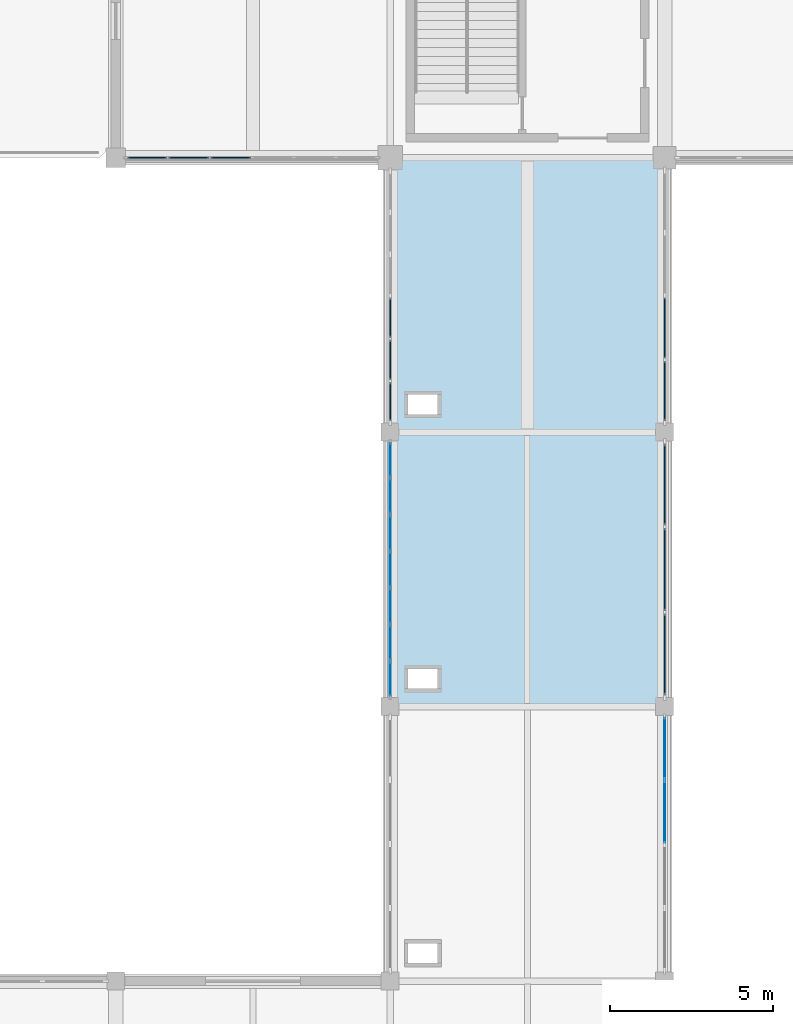
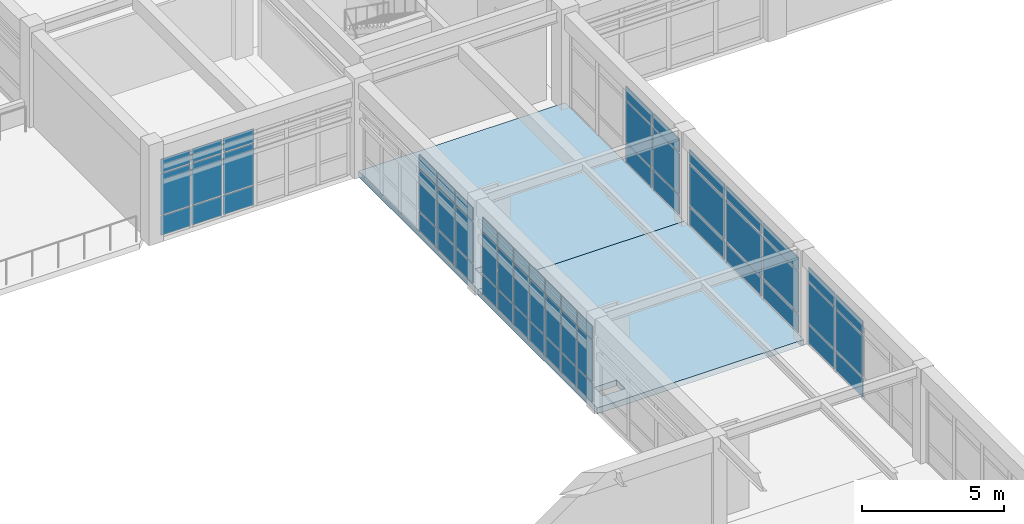
# One storey, part 24 of 40: 60 plates, 2 slabs, 6 elements without a shape of their own.
"""IFC4 building model written with IfcOpenShell, lengths in metres."""

from ifc_helpers import new_model, si_unit, direction, frame, origin, origin_2d, place, context, subcontext, project, spatial, polyline, rectangle, outline, extrude, material, layer, layer_set, type_object, element, aggregate, save


model = new_model("IFC4")

# Units and contexts
model_context = context("Model", 3, precision=1e-05, world=origin(), true_north=direction((0.0, 1.0)))
body_context = subcontext(model_context, "Body", "Model", "MODEL_VIEW")
ifc_project = project(units=[si_unit("LENGTHUNIT", "METRE"), si_unit("AREAUNIT", "SQUARE_METRE"), si_unit("VOLUMEUNIT", "CUBIC_METRE"), si_unit("PLANEANGLEUNIT", "RADIAN"), si_unit("MASSUNIT", "GRAM", prefix="KILO")], contexts=[model_context])

# Site, building, storey
site_placement = place(None, origin())
site = spatial("IfcSite", under=ifc_project, at=site_placement, CompositionType="ELEMENT")
building_placement = place(site_placement, origin())
building = spatial("IfcBuilding", under=site, at=building_placement, Name="Porcellanite Civic Hall", CompositionType="ELEMENT")
storey_placement = place(building_placement, frame((0.0, 0.0, 19.080078125)))
storey = spatial("IfcBuildingStorey", under=building, at=storey_placement, Name="L04", CompositionType="ELEMENT", Elevation=19.080078125)

# Curtain wall, plates
ifc_material_1 = material(Name="Anodised aluminium and solar laminated glass", Category="aluminium")
ifc_layer_1 = layer(ifc_material_1, 0.179931640625)
ifc_layer_set_1 = layer_set([ifc_layer_1], Name="Anodised aluminium and solar laminated glass")
curtain_wall_type_1 = type_object("IfcCurtainWallType", Name="CW-SYS06", PredefinedType="NOTDEFINED", material=ifc_layer_set_1)
curtain_wall_1_placement = place(storey_placement, origin())
curtain_wall_1 = element("IfcCurtainWall", 1, at=curtain_wall_1_placement, inside=storey, type_object=curtain_wall_type_1, Name="Curtain wall CW-242", PredefinedType="NOTDEFINED")
ifc_material_2 = material(Name="Cyclone laminated solar-control low-E glass", Category="glass")
ifc_layer_2 = layer(ifc_material_2, 0.028076171875)
ifc_layer_set_2 = layer_set([ifc_layer_2], Name="Cyclone laminated solar-control low-E glass")
plate_type_1 = type_object("IfcPlateType", Name="CWP-03", PredefinedType="CURTAIN_PANEL", material=ifc_layer_set_2)
plate_1_placement = place(storey_placement, frame((58.800048828125, 82.726806640625, 0.0498046875), z_axis=(0.0, 0.0, 1.0), x_axis=(0.0, -1.0, 0.0)))
plate_1 = element("IfcPlate", 2, at=plate_1_placement, type_object=plate_type_1, Name="CW-242 panel 1.1", PredefinedType="CURTAIN_PANEL", context=body_context, shape_type="SweptSolid", body=[
    extrude(rectangle(XDim=1.864501953125, YDim=0.028076171875, at=origin_2d()), origin(), (0.0, 0.0, 1.0), 0.824951171875),
])
plate_2_placement = place(storey_placement, frame((58.800048828125, 82.726806640625, 0.9248046875), z_axis=(0.0, 0.0, 1.0), x_axis=(0.0, -1.0, 0.0)))
plate_2 = element("IfcPlate", 3, at=plate_2_placement, type_object=plate_type_1, Name="CW-242 panel 1.2", PredefinedType="CURTAIN_PANEL", context=body_context, shape_type="SweptSolid", body=[
    extrude(rectangle(XDim=1.864501953125, YDim=0.028076171875, at=origin_2d()), origin(), (0.0, 0.0, 1.0), 1.77001953125),
])
plate_3_placement = place(storey_placement, frame((58.800048828125, 82.726806640625, 2.7451171875), z_axis=(0.0, 0.0, 1.0), x_axis=(0.0, -1.0, 0.0)))
plate_3 = element("IfcPlate", 4, at=plate_3_placement, type_object=plate_type_1, Name="CW-242 panel 1.3", PredefinedType="CURTAIN_PANEL", context=body_context, shape_type="SweptSolid", body=[
    extrude(rectangle(XDim=1.864501953125, YDim=0.028076171875, at=origin_2d()), origin(), (0.0, 0.0, 1.0), 0.574951171875),
])
plate_4_placement = place(storey_placement, frame((58.800048828125, 80.781005859375, 0.0498046875), z_axis=(0.0, 0.0, 1.0), x_axis=(0.0, -1.0, 0.0)))
plate_4 = element("IfcPlate", 5, at=plate_4_placement, type_object=plate_type_1, Name="CW-242 panel 2.1", PredefinedType="CURTAIN_PANEL", context=body_context, shape_type="SweptSolid", body=[
    extrude(rectangle(XDim=1.89697265625, YDim=0.028076171875, at=origin_2d()), origin(), (0.0, 0.0, 1.0), 0.824951171875),
])
plate_5_placement = place(storey_placement, frame((58.800048828125, 80.781005859375, 0.9248046875), z_axis=(0.0, 0.0, 1.0), x_axis=(0.0, -1.0, 0.0)))
plate_5 = element("IfcPlate", 6, at=plate_5_placement, type_object=plate_type_1, Name="CW-242 panel 2.2", PredefinedType="CURTAIN_PANEL", context=body_context, shape_type="SweptSolid", body=[
    extrude(rectangle(XDim=1.89697265625, YDim=0.028076171875, at=origin_2d()), origin(), (0.0, 0.0, 1.0), 1.77001953125),
])
plate_6_placement = place(storey_placement, frame((58.800048828125, 80.781005859375, 2.7451171875), z_axis=(0.0, 0.0, 1.0), x_axis=(0.0, -1.0, 0.0)))
plate_6 = element("IfcPlate", 7, at=plate_6_placement, type_object=plate_type_1, Name="CW-242 panel 2.3", PredefinedType="CURTAIN_PANEL", context=body_context, shape_type="SweptSolid", body=[
    extrude(rectangle(XDim=1.89697265625, YDim=0.028076171875, at=origin_2d()), origin(), (0.0, 0.0, 1.0), 0.574951171875),
])
aggregate(curtain_wall_1, [plate_1, plate_2, plate_3, plate_4, plate_5, plate_6])

ifc_material_3 = material(Name="Anodised aluminium and solar laminated glass", Category="aluminium")
ifc_layer_3 = layer(ifc_material_3, 0.179931640625)
ifc_layer_set_3 = layer_set([ifc_layer_3], Name="Anodised aluminium and solar laminated glass")
curtain_wall_type_2 = type_object("IfcCurtainWallType", Name="CW-SYS07", PredefinedType="NOTDEFINED", material=ifc_layer_set_3)
curtain_wall_2_placement = place(storey_placement, origin())
curtain_wall_2 = element("IfcCurtainWall", 8, at=curtain_wall_2_placement, inside=storey, type_object=curtain_wall_type_2, Name="Curtain wall CW-243", PredefinedType="NOTDEFINED")
ifc_material_4 = material(Name="Cyclone laminated solar-control low-E glass", Category="glass")
ifc_layer_4 = layer(ifc_material_4, 0.030029296875)
ifc_layer_set_4 = layer_set([ifc_layer_4], Name="Cyclone laminated solar-control low-E glass")
plate_type_2 = type_object("IfcPlateType", Name="CWP-04", PredefinedType="CURTAIN_PANEL", material=ifc_layer_set_4)
plate_7_placement = place(storey_placement, frame((50.39990234375, 84.8515625, 0.0498046875), z_axis=(0.0, 0.0, 1.0), x_axis=(0.0, 1.0, 0.0)))
plate_7 = element("IfcPlate", 9, at=plate_7_placement, type_object=plate_type_2, Name="CW-243 panel 1.1", PredefinedType="CURTAIN_PANEL", context=body_context, shape_type="SweptSolid", body=[
    extrude(rectangle(XDim=1.03125, YDim=0.030029296875, at=origin_2d()), origin(), (0.0, 0.0, 1.0), 0.824951171875),
])
plate_8_placement = place(storey_placement, frame((50.39990234375, 84.8515625, 0.9248046875), z_axis=(0.0, 0.0, 1.0), x_axis=(0.0, 1.0, 0.0)))
plate_8 = element("IfcPlate", 10, at=plate_8_placement, type_object=plate_type_2, Name="CW-243 panel 1.2", PredefinedType="CURTAIN_PANEL", context=body_context, shape_type="SweptSolid", body=[
    extrude(rectangle(XDim=1.03125, YDim=0.030029296875, at=origin_2d()), origin(), (0.0, 0.0, 1.0), 1.77001953125),
])
plate_9_placement = place(storey_placement, frame((50.39990234375, 84.8515625, 2.7451171875), z_axis=(0.0, 0.0, 1.0), x_axis=(0.0, 1.0, 0.0)))
plate_9 = element("IfcPlate", 11, at=plate_9_placement, type_object=plate_type_2, Name="CW-243 panel 1.3", PredefinedType="CURTAIN_PANEL", context=body_context, shape_type="SweptSolid", body=[
    extrude(rectangle(XDim=1.03125, YDim=0.030029296875, at=origin_2d()), origin(), (0.0, 0.0, 1.0), 0.574951171875),
])
plate_10_placement = place(storey_placement, frame((50.39990234375, 85.957763671875, 0.0498046875), z_axis=(0.0, 0.0, 1.0), x_axis=(0.0, 1.0, 0.0)))
plate_10 = element("IfcPlate", 12, at=plate_10_placement, type_object=plate_type_2, Name="CW-243 panel 2.1", PredefinedType="CURTAIN_PANEL", context=body_context, shape_type="SweptSolid", body=[
    extrude(rectangle(XDim=1.06103515625, YDim=0.030029296875, at=origin_2d()), origin(), (0.0, 0.0, 1.0), 0.824951171875),
])
plate_11_placement = place(storey_placement, frame((50.39990234375, 85.957763671875, 0.9248046875), z_axis=(0.0, 0.0, 1.0), x_axis=(0.0, 1.0, 0.0)))
plate_11 = element("IfcPlate", 13, at=plate_11_placement, type_object=plate_type_2, Name="CW-243 panel 2.2", PredefinedType="CURTAIN_PANEL", context=body_context, shape_type="SweptSolid", body=[
    extrude(rectangle(XDim=1.06103515625, YDim=0.030029296875, at=origin_2d()), origin(), (0.0, 0.0, 1.0), 1.77001953125),
])
plate_12_placement = place(storey_placement, frame((50.39990234375, 85.957763671875, 2.7451171875), z_axis=(0.0, 0.0, 1.0), x_axis=(0.0, 1.0, 0.0)))
plate_12 = element("IfcPlate", 14, at=plate_12_placement, type_object=plate_type_2, Name="CW-243 panel 2.3", PredefinedType="CURTAIN_PANEL", context=body_context, shape_type="SweptSolid", body=[
    extrude(rectangle(XDim=1.06103515625, YDim=0.030029296875, at=origin_2d()), origin(), (0.0, 0.0, 1.0), 0.574951171875),
])
plate_13_placement = place(storey_placement, frame((50.39990234375, 87.078857421875, 0.0498046875), z_axis=(0.0, 0.0, 1.0), x_axis=(0.0, 1.0, 0.0)))
plate_13 = element("IfcPlate", 15, at=plate_13_placement, type_object=plate_type_2, Name="CW-243 panel 3.1", PredefinedType="CURTAIN_PANEL", context=body_context, shape_type="SweptSolid", body=[
    extrude(rectangle(XDim=1.06103515625, YDim=0.030029296875, at=origin_2d()), origin(), (0.0, 0.0, 1.0), 0.824951171875),
])
plate_14_placement = place(storey_placement, frame((50.39990234375, 87.078857421875, 0.9248046875), z_axis=(0.0, 0.0, 1.0), x_axis=(0.0, 1.0, 0.0)))
plate_14 = element("IfcPlate", 16, at=plate_14_placement, type_object=plate_type_2, Name="CW-243 panel 3.2", PredefinedType="CURTAIN_PANEL", context=body_context, shape_type="SweptSolid", body=[
    extrude(rectangle(XDim=1.06103515625, YDim=0.030029296875, at=origin_2d()), origin(), (0.0, 0.0, 1.0), 1.77001953125),
])
plate_15_placement = place(storey_placement, frame((50.39990234375, 87.078857421875, 2.7451171875), z_axis=(0.0, 0.0, 1.0), x_axis=(0.0, 1.0, 0.0)))
plate_15 = element("IfcPlate", 17, at=plate_15_placement, type_object=plate_type_2, Name="CW-243 panel 3.3", PredefinedType="CURTAIN_PANEL", context=body_context, shape_type="SweptSolid", body=[
    extrude(rectangle(XDim=1.06103515625, YDim=0.030029296875, at=origin_2d()), origin(), (0.0, 0.0, 1.0), 0.574951171875),
])
plate_16_placement = place(storey_placement, frame((50.39990234375, 88.199951171875, 0.0498046875), z_axis=(0.0, 0.0, 1.0), x_axis=(0.0, 1.0, 0.0)))
plate_16 = element("IfcPlate", 18, at=plate_16_placement, type_object=plate_type_2, Name="CW-243 panel 4.1", PredefinedType="CURTAIN_PANEL", context=body_context, shape_type="SweptSolid", body=[
    extrude(rectangle(XDim=1.06103515625, YDim=0.030029296875, at=origin_2d()), origin(), (0.0, 0.0, 1.0), 0.824951171875),
])
plate_17_placement = place(storey_placement, frame((50.39990234375, 88.199951171875, 0.9248046875), z_axis=(0.0, 0.0, 1.0), x_axis=(0.0, 1.0, 0.0)))
plate_17 = element("IfcPlate", 19, at=plate_17_placement, type_object=plate_type_2, Name="CW-243 panel 4.2", PredefinedType="CURTAIN_PANEL", context=body_context, shape_type="SweptSolid", body=[
    extrude(rectangle(XDim=1.06103515625, YDim=0.030029296875, at=origin_2d()), origin(), (0.0, 0.0, 1.0), 1.77001953125),
])
plate_18_placement = place(storey_placement, frame((50.39990234375, 88.199951171875, 2.7451171875), z_axis=(0.0, 0.0, 1.0), x_axis=(0.0, 1.0, 0.0)))
plate_18 = element("IfcPlate", 20, at=plate_18_placement, type_object=plate_type_2, Name="CW-243 panel 4.3", PredefinedType="CURTAIN_PANEL", context=body_context, shape_type="SweptSolid", body=[
    extrude(rectangle(XDim=1.06103515625, YDim=0.030029296875, at=origin_2d()), origin(), (0.0, 0.0, 1.0), 0.574951171875),
])
plate_19_placement = place(storey_placement, frame((50.39990234375, 89.321044921875, 0.0498046875), z_axis=(0.0, 0.0, 1.0), x_axis=(0.0, 1.0, 0.0)))
plate_19 = element("IfcPlate", 21, at=plate_19_placement, type_object=plate_type_2, Name="CW-243 panel 5.1", PredefinedType="CURTAIN_PANEL", context=body_context, shape_type="SweptSolid", body=[
    extrude(rectangle(XDim=1.06103515625, YDim=0.030029296875, at=origin_2d()), origin(), (0.0, 0.0, 1.0), 0.824951171875),
])
plate_20_placement = place(storey_placement, frame((50.39990234375, 89.321044921875, 0.9248046875), z_axis=(0.0, 0.0, 1.0), x_axis=(0.0, 1.0, 0.0)))
plate_20 = element("IfcPlate", 22, at=plate_20_placement, type_object=plate_type_2, Name="CW-243 panel 5.2", PredefinedType="CURTAIN_PANEL", context=body_context, shape_type="SweptSolid", body=[
    extrude(rectangle(XDim=1.06103515625, YDim=0.030029296875, at=origin_2d()), origin(), (0.0, 0.0, 1.0), 1.77001953125),
])
plate_21_placement = place(storey_placement, frame((50.39990234375, 89.321044921875, 2.7451171875), z_axis=(0.0, 0.0, 1.0), x_axis=(0.0, 1.0, 0.0)))
plate_21 = element("IfcPlate", 23, at=plate_21_placement, type_object=plate_type_2, Name="CW-243 panel 5.3", PredefinedType="CURTAIN_PANEL", context=body_context, shape_type="SweptSolid", body=[
    extrude(rectangle(XDim=1.06103515625, YDim=0.030029296875, at=origin_2d()), origin(), (0.0, 0.0, 1.0), 0.574951171875),
])
plate_22_placement = place(storey_placement, frame((50.39990234375, 90.4423828125, 0.0498046875), z_axis=(0.0, 0.0, 1.0), x_axis=(0.0, 1.0, 0.0)))
plate_22 = element("IfcPlate", 24, at=plate_22_placement, type_object=plate_type_2, Name="CW-243 panel 6.1", PredefinedType="CURTAIN_PANEL", context=body_context, shape_type="SweptSolid", body=[
    extrude(rectangle(XDim=1.06103515625, YDim=0.030029296875, at=origin_2d()), origin(), (0.0, 0.0, 1.0), 0.824951171875),
])
plate_23_placement = place(storey_placement, frame((50.39990234375, 90.4423828125, 0.9248046875), z_axis=(0.0, 0.0, 1.0), x_axis=(0.0, 1.0, 0.0)))
plate_23 = element("IfcPlate", 25, at=plate_23_placement, type_object=plate_type_2, Name="CW-243 panel 6.2", PredefinedType="CURTAIN_PANEL", context=body_context, shape_type="SweptSolid", body=[
    extrude(rectangle(XDim=1.06103515625, YDim=0.030029296875, at=origin_2d()), origin(), (0.0, 0.0, 1.0), 1.77001953125),
])
plate_24_placement = place(storey_placement, frame((50.39990234375, 90.4423828125, 2.7451171875), z_axis=(0.0, 0.0, 1.0), x_axis=(0.0, 1.0, 0.0)))
plate_24 = element("IfcPlate", 26, at=plate_24_placement, type_object=plate_type_2, Name="CW-243 panel 6.3", PredefinedType="CURTAIN_PANEL", context=body_context, shape_type="SweptSolid", body=[
    extrude(rectangle(XDim=1.06103515625, YDim=0.030029296875, at=origin_2d()), origin(), (0.0, 0.0, 1.0), 0.574951171875),
])
plate_25_placement = place(storey_placement, frame((50.39990234375, 91.54833984375, 0.0498046875), z_axis=(0.0, 0.0, 1.0), x_axis=(0.0, 1.0, 0.0)))
plate_25 = element("IfcPlate", 27, at=plate_25_placement, type_object=plate_type_2, Name="CW-243 panel 7.1", PredefinedType="CURTAIN_PANEL", context=body_context, shape_type="SweptSolid", body=[
    extrude(rectangle(XDim=1.03125, YDim=0.030029296875, at=origin_2d()), origin(), (0.0, 0.0, 1.0), 0.824951171875),
])
plate_26_placement = place(storey_placement, frame((50.39990234375, 91.54833984375, 0.9248046875), z_axis=(0.0, 0.0, 1.0), x_axis=(0.0, 1.0, 0.0)))
plate_26 = element("IfcPlate", 28, at=plate_26_placement, type_object=plate_type_2, Name="CW-243 panel 7.2", PredefinedType="CURTAIN_PANEL", context=body_context, shape_type="SweptSolid", body=[
    extrude(rectangle(XDim=1.03125, YDim=0.030029296875, at=origin_2d()), origin(), (0.0, 0.0, 1.0), 1.77001953125),
])
plate_27_placement = place(storey_placement, frame((50.39990234375, 91.54833984375, 2.7451171875), z_axis=(0.0, 0.0, 1.0), x_axis=(0.0, 1.0, 0.0)))
plate_27 = element("IfcPlate", 29, at=plate_27_placement, type_object=plate_type_2, Name="CW-243 panel 7.3", PredefinedType="CURTAIN_PANEL", context=body_context, shape_type="SweptSolid", body=[
    extrude(rectangle(XDim=1.03125, YDim=0.030029296875, at=origin_2d()), origin(), (0.0, 0.0, 1.0), 0.574951171875),
])
aggregate(curtain_wall_2, [plate_7, plate_8, plate_9, plate_10, plate_11, plate_12, plate_13, plate_14, plate_15, plate_16, plate_17, plate_18, plate_19, plate_20, plate_21, plate_22, plate_23, plate_24, plate_25, plate_26, plate_27])

ifc_material_5 = material(Name="Anodised aluminium and solar laminated glass", Category="aluminium")
ifc_layer_5 = layer(ifc_material_5, 0.179931640625)
ifc_layer_set_5 = layer_set([ifc_layer_5], Name="Anodised aluminium and solar laminated glass")
curtain_wall_type_3 = type_object("IfcCurtainWallType", Name="CW-SYS08", PredefinedType="NOTDEFINED", material=ifc_layer_set_5)
curtain_wall_3_placement = place(storey_placement, origin())
curtain_wall_3 = element("IfcCurtainWall", 30, at=curtain_wall_3_placement, inside=storey, type_object=curtain_wall_type_3, Name="Curtain wall CW-244", PredefinedType="NOTDEFINED")
ifc_material_6 = material(Name="Cyclone laminated solar-control low-E glass", Category="glass")
ifc_layer_6 = layer(ifc_material_6, 0.031982421875)
ifc_layer_set_6 = layer_set([ifc_layer_6], Name="Cyclone laminated solar-control low-E glass")
plate_type_3 = type_object("IfcPlateType", Name="CWP-05", PredefinedType="CURTAIN_PANEL", material=ifc_layer_set_6)
plate_28_placement = place(storey_placement, frame((58.800048828125, 90.7958984375, 0.070068359375), z_axis=(0.0, 0.0, 1.0), x_axis=(0.0, -1.0, 0.0)))
plate_28 = element("IfcPlate", 31, at=plate_28_placement, type_object=plate_type_3, Name="CW-244 panel 1.1", PredefinedType="CURTAIN_PANEL", context=body_context, shape_type="SweptSolid", body=[
    extrude(rectangle(XDim=2.49609375, YDim=0.031982421875, at=origin_2d()), origin(), (0.0, 0.0, 1.0), 0.794921875),
])
plate_29_placement = place(storey_placement, frame((58.800048828125, 90.7958984375, 0.934814453125), z_axis=(0.0, 0.0, 1.0), x_axis=(0.0, -1.0, 0.0)))
plate_29 = element("IfcPlate", 32, at=plate_29_placement, type_object=plate_type_3, Name="CW-244 panel 1.2", PredefinedType="CURTAIN_PANEL", context=body_context, shape_type="SweptSolid", body=[
    extrude(rectangle(XDim=2.49609375, YDim=0.031982421875, at=origin_2d()), origin(), (0.0, 0.0, 1.0), 1.75),
])
plate_30_placement = place(storey_placement, frame((58.800048828125, 90.7958984375, 2.7548828125), z_axis=(0.0, 0.0, 1.0), x_axis=(0.0, -1.0, 0.0)))
plate_30 = element("IfcPlate", 33, at=plate_30_placement, type_object=plate_type_3, Name="CW-244 panel 1.3", PredefinedType="CURTAIN_PANEL", context=body_context, shape_type="SweptSolid", body=[
    extrude(rectangle(XDim=2.49609375, YDim=0.031982421875, at=origin_2d()), origin(), (0.0, 0.0, 1.0), 0.544921875),
])
plate_31_placement = place(storey_placement, frame((58.800048828125, 88.199951171875, 0.070068359375), z_axis=(0.0, 0.0, 1.0), x_axis=(0.0, -1.0, 0.0)))
plate_31 = element("IfcPlate", 34, at=plate_31_placement, type_object=plate_type_3, Name="CW-244 panel 2.1", PredefinedType="CURTAIN_PANEL", context=body_context, shape_type="SweptSolid", body=[
    extrude(rectangle(XDim=2.535888671875, YDim=0.031982421875, at=origin_2d()), origin(), (0.0, 0.0, 1.0), 0.794921875),
])
plate_32_placement = place(storey_placement, frame((58.800048828125, 88.199951171875, 0.934814453125), z_axis=(0.0, 0.0, 1.0), x_axis=(0.0, -1.0, 0.0)))
plate_32 = element("IfcPlate", 35, at=plate_32_placement, type_object=plate_type_3, Name="CW-244 panel 2.2", PredefinedType="CURTAIN_PANEL", context=body_context, shape_type="SweptSolid", body=[
    extrude(rectangle(XDim=2.535888671875, YDim=0.031982421875, at=origin_2d()), origin(), (0.0, 0.0, 1.0), 1.75),
])
plate_33_placement = place(storey_placement, frame((58.800048828125, 88.199951171875, 2.7548828125), z_axis=(0.0, 0.0, 1.0), x_axis=(0.0, -1.0, 0.0)))
plate_33 = element("IfcPlate", 36, at=plate_33_placement, type_object=plate_type_3, Name="CW-244 panel 2.3", PredefinedType="CURTAIN_PANEL", context=body_context, shape_type="SweptSolid", body=[
    extrude(rectangle(XDim=2.535888671875, YDim=0.031982421875, at=origin_2d()), origin(), (0.0, 0.0, 1.0), 0.544921875),
])
plate_34_placement = place(storey_placement, frame((58.800048828125, 85.60400390625, 0.070068359375), z_axis=(0.0, 0.0, 1.0), x_axis=(0.0, -1.0, 0.0)))
plate_34 = element("IfcPlate", 37, at=plate_34_placement, type_object=plate_type_3, Name="CW-244 panel 3.1", PredefinedType="CURTAIN_PANEL", context=body_context, shape_type="SweptSolid", body=[
    extrude(rectangle(XDim=2.49609375, YDim=0.031982421875, at=origin_2d()), origin(), (0.0, 0.0, 1.0), 0.794921875),
])
plate_35_placement = place(storey_placement, frame((58.800048828125, 85.60400390625, 0.934814453125), z_axis=(0.0, 0.0, 1.0), x_axis=(0.0, -1.0, 0.0)))
plate_35 = element("IfcPlate", 38, at=plate_35_placement, type_object=plate_type_3, Name="CW-244 panel 3.2", PredefinedType="CURTAIN_PANEL", context=body_context, shape_type="SweptSolid", body=[
    extrude(rectangle(XDim=2.49609375, YDim=0.031982421875, at=origin_2d()), origin(), (0.0, 0.0, 1.0), 1.75),
])
plate_36_placement = place(storey_placement, frame((58.800048828125, 85.60400390625, 2.7548828125), z_axis=(0.0, 0.0, 1.0), x_axis=(0.0, -1.0, 0.0)))
plate_36 = element("IfcPlate", 39, at=plate_36_placement, type_object=plate_type_3, Name="CW-244 panel 3.3", PredefinedType="CURTAIN_PANEL", context=body_context, shape_type="SweptSolid", body=[
    extrude(rectangle(XDim=2.49609375, YDim=0.031982421875, at=origin_2d()), origin(), (0.0, 0.0, 1.0), 0.544921875),
])
aggregate(curtain_wall_3, [plate_28, plate_29, plate_30, plate_31, plate_32, plate_33, plate_34, plate_35, plate_36])

ifc_material_7 = material(Name="Anodised aluminium and solar laminated glass", Category="aluminium")
ifc_layer_7 = layer(ifc_material_7, 0.179931640625)
ifc_layer_set_7 = layer_set([ifc_layer_7], Name="Anodised aluminium and solar laminated glass")
curtain_wall_type_4 = type_object("IfcCurtainWallType", Name="CW-SYS01", PredefinedType="NOTDEFINED", material=ifc_layer_set_7)
curtain_wall_4_placement = place(storey_placement, origin())
curtain_wall_4 = element("IfcCurtainWall", 40, at=curtain_wall_4_placement, inside=storey, type_object=curtain_wall_type_4, Name="Curtain wall CW-245", PredefinedType="NOTDEFINED")
ifc_material_8 = material(Name="Cyclone laminated solar-control low-E glass", Category="glass")
ifc_layer_8 = layer(ifc_material_8, 0.033935546875)
ifc_layer_set_8 = layer_set([ifc_layer_8], Name="Cyclone laminated solar-control low-E glass")
plate_type_4 = type_object("IfcPlateType", Name="CWP-06", PredefinedType="CURTAIN_PANEL", material=ifc_layer_set_8)
plate_37_placement = place(storey_placement, frame((50.39990234375, 93.339111328125, 0.059814453125), z_axis=(0.0, 0.0, 1.0), x_axis=(0.0, 1.0, 0.0)))
plate_37 = element("IfcPlate", 41, at=plate_37_placement, type_object=plate_type_4, Name="CW-245 panel 1.1", PredefinedType="CURTAIN_PANEL", context=body_context, shape_type="SweptSolid", body=[
    extrude(rectangle(XDim=1.186279296875, YDim=0.033935546875, at=origin_2d()), origin(), (0.0, 0.0, 1.0), 0.81005859375),
])
plate_38_placement = place(storey_placement, frame((50.39990234375, 93.339111328125, 0.9296875), z_axis=(0.0, 0.0, 1.0), x_axis=(0.0, 1.0, 0.0)))
plate_38 = element("IfcPlate", 42, at=plate_38_placement, type_object=plate_type_4, Name="CW-245 panel 1.2", PredefinedType="CURTAIN_PANEL", context=body_context, shape_type="SweptSolid", body=[
    extrude(rectangle(XDim=1.186279296875, YDim=0.033935546875, at=origin_2d()), origin(), (0.0, 0.0, 1.0), 1.760009765625),
])
plate_39_placement = place(storey_placement, frame((50.39990234375, 93.339111328125, 2.75), z_axis=(0.0, 0.0, 1.0), x_axis=(0.0, 1.0, 0.0)))
plate_39 = element("IfcPlate", 43, at=plate_39_placement, type_object=plate_type_4, Name="CW-245 panel 1.3", PredefinedType="CURTAIN_PANEL", context=body_context, shape_type="SweptSolid", body=[
    extrude(rectangle(XDim=1.186279296875, YDim=0.033935546875, at=origin_2d()), origin(), (0.0, 0.0, 1.0), 0.56005859375),
])
plate_40_placement = place(storey_placement, frame((50.39990234375, 94.613037109375, 0.059814453125), z_axis=(0.0, 0.0, 1.0), x_axis=(0.0, 1.0, 0.0)))
plate_40 = element("IfcPlate", 44, at=plate_40_placement, type_object=plate_type_4, Name="CW-245 panel 2.1", PredefinedType="CURTAIN_PANEL", context=body_context, shape_type="SweptSolid", body=[
    extrude(rectangle(XDim=1.221435546875, YDim=0.033935546875, at=origin_2d()), origin(), (0.0, 0.0, 1.0), 0.81005859375),
])
plate_41_placement = place(storey_placement, frame((50.39990234375, 94.613037109375, 0.9296875), z_axis=(0.0, 0.0, 1.0), x_axis=(0.0, 1.0, 0.0)))
plate_41 = element("IfcPlate", 45, at=plate_41_placement, type_object=plate_type_4, Name="CW-245 panel 2.2", PredefinedType="CURTAIN_PANEL", context=body_context, shape_type="SweptSolid", body=[
    extrude(rectangle(XDim=1.221435546875, YDim=0.033935546875, at=origin_2d()), origin(), (0.0, 0.0, 1.0), 1.760009765625),
])
plate_42_placement = place(storey_placement, frame((50.39990234375, 94.613037109375, 2.75), z_axis=(0.0, 0.0, 1.0), x_axis=(0.0, 1.0, 0.0)))
plate_42 = element("IfcPlate", 46, at=plate_42_placement, type_object=plate_type_4, Name="CW-245 panel 2.3", PredefinedType="CURTAIN_PANEL", context=body_context, shape_type="SweptSolid", body=[
    extrude(rectangle(XDim=1.221435546875, YDim=0.033935546875, at=origin_2d()), origin(), (0.0, 0.0, 1.0), 0.56005859375),
])
plate_43_placement = place(storey_placement, frame((50.39990234375, 95.904296875, 0.059814453125), z_axis=(0.0, 0.0, 1.0), x_axis=(0.0, 1.0, 0.0)))
plate_43 = element("IfcPlate", 47, at=plate_43_placement, type_object=plate_type_4, Name="CW-245 panel 3.1", PredefinedType="CURTAIN_PANEL", context=body_context, shape_type="SweptSolid", body=[
    extrude(rectangle(XDim=1.221435546875, YDim=0.033935546875, at=origin_2d()), origin(), (0.0, 0.0, 1.0), 0.81005859375),
])
plate_44_placement = place(storey_placement, frame((50.39990234375, 95.904296875, 0.9296875), z_axis=(0.0, 0.0, 1.0), x_axis=(0.0, 1.0, 0.0)))
plate_44 = element("IfcPlate", 48, at=plate_44_placement, type_object=plate_type_4, Name="CW-245 panel 3.2", PredefinedType="CURTAIN_PANEL", context=body_context, shape_type="SweptSolid", body=[
    extrude(rectangle(XDim=1.221435546875, YDim=0.033935546875, at=origin_2d()), origin(), (0.0, 0.0, 1.0), 1.760009765625),
])
plate_45_placement = place(storey_placement, frame((50.39990234375, 95.904296875, 2.75), z_axis=(0.0, 0.0, 1.0), x_axis=(0.0, 1.0, 0.0)))
plate_45 = element("IfcPlate", 49, at=plate_45_placement, type_object=plate_type_4, Name="CW-245 panel 3.3", PredefinedType="CURTAIN_PANEL", context=body_context, shape_type="SweptSolid", body=[
    extrude(rectangle(XDim=1.221435546875, YDim=0.033935546875, at=origin_2d()), origin(), (0.0, 0.0, 1.0), 0.56005859375),
])
aggregate(curtain_wall_4, [plate_37, plate_38, plate_39, plate_40, plate_41, plate_42, plate_43, plate_44, plate_45])

ifc_material_9 = material(Name="Anodised aluminium and solar laminated glass", Category="aluminium")
ifc_layer_9 = layer(ifc_material_9, 0.179931640625)
ifc_layer_set_9 = layer_set([ifc_layer_9], Name="Anodised aluminium and solar laminated glass")
curtain_wall_type_5 = type_object("IfcCurtainWallType", Name="CW-SYS03", PredefinedType="NOTDEFINED", material=ifc_layer_set_9)
curtain_wall_5_placement = place(storey_placement, origin())
curtain_wall_5 = element("IfcCurtainWall", 50, at=curtain_wall_5_placement, inside=storey, type_object=curtain_wall_type_5, Name="Curtain wall CW-246", PredefinedType="NOTDEFINED")
ifc_material_10 = material(Name="Cyclone laminated solar-control low-E glass", Category="glass")
ifc_layer_10 = layer(ifc_material_10, 0.035888671875)
ifc_layer_set_10 = layer_set([ifc_layer_10], Name="Cyclone laminated solar-control low-E glass")
plate_type_5 = type_object("IfcPlateType", Name="CWP-07", PredefinedType="CURTAIN_PANEL", material=ifc_layer_set_10)
plate_46_placement = place(storey_placement, frame((58.800048828125, 95.5908203125, 0.054931640625), z_axis=(0.0, 0.0, 1.0), x_axis=(0.0, -1.0, 0.0)))
plate_46 = element("IfcPlate", 51, at=plate_46_placement, type_object=plate_type_5, Name="CW-246 panel 3.1", PredefinedType="CURTAIN_PANEL", context=body_context, shape_type="SweptSolid", body=[
    extrude(rectangle(XDim=1.86328125, YDim=0.035888671875, at=origin_2d()), origin(), (0.0, 0.0, 1.0), 0.8173828125),
])
plate_47_placement = place(storey_placement, frame((58.800048828125, 95.5908203125, 0.92724609375), z_axis=(0.0, 0.0, 1.0), x_axis=(0.0, -1.0, 0.0)))
plate_47 = element("IfcPlate", 52, at=plate_47_placement, type_object=plate_type_5, Name="CW-246 panel 3.2", PredefinedType="CURTAIN_PANEL", context=body_context, shape_type="SweptSolid", body=[
    extrude(rectangle(XDim=1.86328125, YDim=0.035888671875, at=origin_2d()), origin(), (0.0, 0.0, 1.0), 1.764892578125),
])
plate_48_placement = place(storey_placement, frame((58.800048828125, 95.5908203125, 2.74755859375), z_axis=(0.0, 0.0, 1.0), x_axis=(0.0, -1.0, 0.0)))
plate_48 = element("IfcPlate", 53, at=plate_48_placement, type_object=plate_type_5, Name="CW-246 panel 3.3", PredefinedType="CURTAIN_PANEL", context=body_context, shape_type="SweptSolid", body=[
    extrude(rectangle(XDim=1.86328125, YDim=0.035888671875, at=origin_2d()), origin(), (0.0, 0.0, 1.0), 0.5673828125),
])
plate_49_placement = place(storey_placement, frame((58.800048828125, 93.667724609375, 0.054931640625), z_axis=(0.0, 0.0, 1.0), x_axis=(0.0, -1.0, 0.0)))
plate_49 = element("IfcPlate", 54, at=plate_49_placement, type_object=plate_type_5, Name="CW-246 panel 4.1", PredefinedType="CURTAIN_PANEL", context=body_context, shape_type="SweptSolid", body=[
    extrude(rectangle(XDim=1.8232421875, YDim=0.035888671875, at=origin_2d()), origin(), (0.0, 0.0, 1.0), 0.8173828125),
])
plate_50_placement = place(storey_placement, frame((58.800048828125, 93.667724609375, 0.92724609375), z_axis=(0.0, 0.0, 1.0), x_axis=(0.0, -1.0, 0.0)))
plate_50 = element("IfcPlate", 55, at=plate_50_placement, type_object=plate_type_5, Name="CW-246 panel 4.2", PredefinedType="CURTAIN_PANEL", context=body_context, shape_type="SweptSolid", body=[
    extrude(rectangle(XDim=1.8232421875, YDim=0.035888671875, at=origin_2d()), origin(), (0.0, 0.0, 1.0), 1.764892578125),
])
plate_51_placement = place(storey_placement, frame((58.800048828125, 93.667724609375, 2.74755859375), z_axis=(0.0, 0.0, 1.0), x_axis=(0.0, -1.0, 0.0)))
plate_51 = element("IfcPlate", 56, at=plate_51_placement, type_object=plate_type_5, Name="CW-246 panel 4.3", PredefinedType="CURTAIN_PANEL", context=body_context, shape_type="SweptSolid", body=[
    extrude(rectangle(XDim=1.8232421875, YDim=0.035888671875, at=origin_2d()), origin(), (0.0, 0.0, 1.0), 0.5673828125),
])
aggregate(curtain_wall_5, [plate_46, plate_47, plate_48, plate_49, plate_50, plate_51])

curtain_wall_6_placement = place(storey_placement, origin())
curtain_wall_6 = element("IfcCurtainWall", 57, at=curtain_wall_6_placement, inside=storey, type_object=curtain_wall_type_2, Name="Curtain wall CW-237", PredefinedType="NOTDEFINED")
ifc_material_11 = material(Name="Insulated ochre aluminium spandrel panel", Category="aluminium")
ifc_layer_11 = layer(ifc_material_11, 0.0380859375)
ifc_layer_set_11 = layer_set([ifc_layer_11], Name="Insulated ochre aluminium spandrel panel")
plate_type_6 = type_object("IfcPlateType", Name="CWP-08", PredefinedType="CURTAIN_PANEL", material=ifc_layer_set_11)
plate_52_placement = place(storey_placement, frame((45.518798828125, 100.800048828125, 0.0498046875), z_axis=(0.0, 0.0, 1.0), x_axis=(-1.0, 0.0, 0.0)))
plate_52 = element("IfcPlate", 58, at=plate_52_placement, type_object=plate_type_6, Name="CW-237 panel 4.1", PredefinedType="CURTAIN_PANEL", context=body_context, shape_type="SweptSolid", body=[
    extrude(rectangle(XDim=1.22705078125, YDim=0.0380859375, at=origin_2d()), origin(), (0.0, 0.0, 1.0), 0.824951171875),
])
plate_53_placement = place(storey_placement, frame((45.518798828125, 100.800048828125, 0.9248046875), z_axis=(0.0, 0.0, 1.0), x_axis=(-1.0, 0.0, 0.0)))
plate_53 = element("IfcPlate", 59, at=plate_53_placement, type_object=plate_type_6, Name="CW-237 panel 4.2", PredefinedType="CURTAIN_PANEL", context=body_context, shape_type="SweptSolid", body=[
    extrude(rectangle(XDim=1.22705078125, YDim=0.0380859375, at=origin_2d()), origin(), (0.0, 0.0, 1.0), 1.77001953125),
])
plate_54_placement = place(storey_placement, frame((45.518798828125, 100.800048828125, 2.7451171875), z_axis=(0.0, 0.0, 1.0), x_axis=(-1.0, 0.0, 0.0)))
plate_54 = element("IfcPlate", 60, at=plate_54_placement, type_object=plate_type_6, Name="CW-237 panel 4.3", PredefinedType="CURTAIN_PANEL", context=body_context, shape_type="SweptSolid", body=[
    extrude(rectangle(XDim=1.22705078125, YDim=0.0380859375, at=origin_2d()), origin(), (0.0, 0.0, 1.0), 0.574951171875),
])
plate_55_placement = place(storey_placement, frame((44.231689453125, 100.800048828125, 0.0498046875), z_axis=(0.0, 0.0, 1.0), x_axis=(-1.0, 0.0, 0.0)))
plate_55 = element("IfcPlate", 61, at=plate_55_placement, type_object=plate_type_6, Name="CW-237 panel 5.1", PredefinedType="CURTAIN_PANEL", context=body_context, shape_type="SweptSolid", body=[
    extrude(rectangle(XDim=1.22705078125, YDim=0.0380859375, at=origin_2d()), origin(), (0.0, 0.0, 1.0), 0.824951171875),
])
plate_56_placement = place(storey_placement, frame((44.231689453125, 100.800048828125, 0.9248046875), z_axis=(0.0, 0.0, 1.0), x_axis=(-1.0, 0.0, 0.0)))
plate_56 = element("IfcPlate", 62, at=plate_56_placement, type_object=plate_type_6, Name="CW-237 panel 5.2", PredefinedType="CURTAIN_PANEL", context=body_context, shape_type="SweptSolid", body=[
    extrude(rectangle(XDim=1.22705078125, YDim=0.0380859375, at=origin_2d()), origin(), (0.0, 0.0, 1.0), 1.77001953125),
])
plate_57_placement = place(storey_placement, frame((44.231689453125, 100.800048828125, 2.7451171875), z_axis=(0.0, 0.0, 1.0), x_axis=(-1.0, 0.0, 0.0)))
plate_57 = element("IfcPlate", 63, at=plate_57_placement, type_object=plate_type_6, Name="CW-237 panel 5.3", PredefinedType="CURTAIN_PANEL", context=body_context, shape_type="SweptSolid", body=[
    extrude(rectangle(XDim=1.22705078125, YDim=0.0380859375, at=origin_2d()), origin(), (0.0, 0.0, 1.0), 0.574951171875),
])
plate_58_placement = place(storey_placement, frame((42.95947265625, 100.800048828125, 0.0498046875), z_axis=(0.0, 0.0, 1.0), x_axis=(-1.0, 0.0, 0.0)))
plate_58 = element("IfcPlate", 64, at=plate_58_placement, type_object=plate_type_6, Name="CW-237 panel 6.1", PredefinedType="CURTAIN_PANEL", context=body_context, shape_type="SweptSolid", body=[
    extrude(rectangle(XDim=1.197265625, YDim=0.0380859375, at=origin_2d()), origin(), (0.0, 0.0, 1.0), 0.824951171875),
])
plate_59_placement = place(storey_placement, frame((42.95947265625, 100.800048828125, 0.9248046875), z_axis=(0.0, 0.0, 1.0), x_axis=(-1.0, 0.0, 0.0)))
plate_59 = element("IfcPlate", 65, at=plate_59_placement, type_object=plate_type_6, Name="CW-237 panel 6.2", PredefinedType="CURTAIN_PANEL", context=body_context, shape_type="SweptSolid", body=[
    extrude(rectangle(XDim=1.197265625, YDim=0.0380859375, at=origin_2d()), origin(), (0.0, 0.0, 1.0), 1.77001953125),
])
plate_60_placement = place(storey_placement, frame((42.95947265625, 100.800048828125, 2.7451171875), z_axis=(0.0, 0.0, 1.0), x_axis=(-1.0, 0.0, 0.0)))
plate_60 = element("IfcPlate", 66, at=plate_60_placement, type_object=plate_type_6, Name="CW-237 panel 6.3", PredefinedType="CURTAIN_PANEL", context=body_context, shape_type="SweptSolid", body=[
    extrude(rectangle(XDim=1.197265625, YDim=0.0380859375, at=origin_2d()), origin(), (0.0, 0.0, 1.0), 0.574951171875),
])
aggregate(curtain_wall_6, [plate_52, plate_53, plate_54, plate_55, plate_56, plate_57, plate_58, plate_59, plate_60])

# Slabs
ifc_material_12 = material(Name="Concrete N40 (40 MPa)", Category="concrete")
ifc_layer_12 = layer(ifc_material_12, 0.25)
ifc_layer_set_12 = layer_set([ifc_layer_12], Name="Concrete N40 (40 MPa)")
slab_type = type_object("IfcSlabType", Name="SL-FL250", PredefinedType="FLOOR", material=ifc_layer_set_12)
slab_1_placement = place(storey_placement, frame((0.0, 0.0, -0.25)))
element("IfcSlab", 67, at=slab_1_placement, inside=storey, type_object=slab_type, Name="Slab L04 bay 7-11", PredefinedType="FLOOR", context=body_context, shape_type="SweptSolid", body=[
    extrude(outline(polyline([(50.39990234375, 84.0), (58.800048828125, 84.0), (58.800048828125, 92.39990234375), (50.39990234375, 92.39990234375), (50.39990234375, 84.0)]), holes=[polyline([(50.949951171875, 84.550048828125), (51.85009765625, 84.550048828125), (51.85009765625, 85.14990234375), (50.949951171875, 85.14990234375), (50.949951171875, 84.550048828125)])]), origin(), (0.0, 0.0, 1.0), 0.25),
])
slab_2_placement = place(storey_placement, frame((0.0, 0.0, -0.25)))
element("IfcSlab", 68, at=slab_2_placement, inside=storey, type_object=slab_type, Name="Slab L04 bay 7-12", PredefinedType="FLOOR", context=body_context, shape_type="SweptSolid", body=[
    extrude(outline(polyline([(50.39990234375, 92.39990234375), (58.800048828125, 92.39990234375), (58.800048828125, 100.800048828125), (50.39990234375, 100.800048828125), (50.39990234375, 92.39990234375)]), holes=[polyline([(50.949951171875, 92.949951171875), (51.85009765625, 92.949951171875), (51.85009765625, 93.550048828125), (50.949951171875, 93.550048828125), (50.949951171875, 92.949951171875)])]), origin(), (0.0, 0.0, 1.0), 0.25),
])

save(model, "model.ifc")
